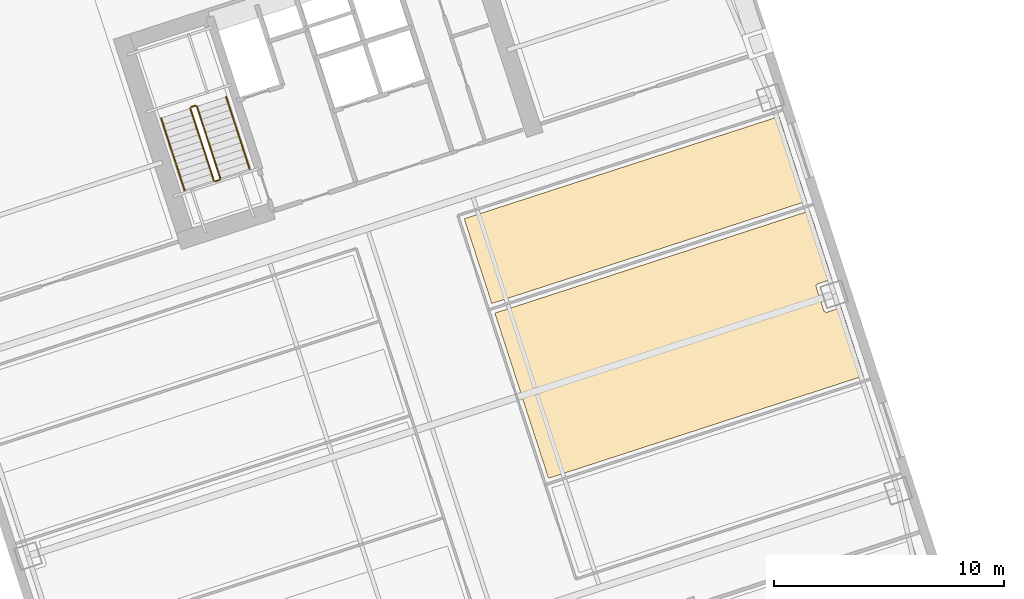
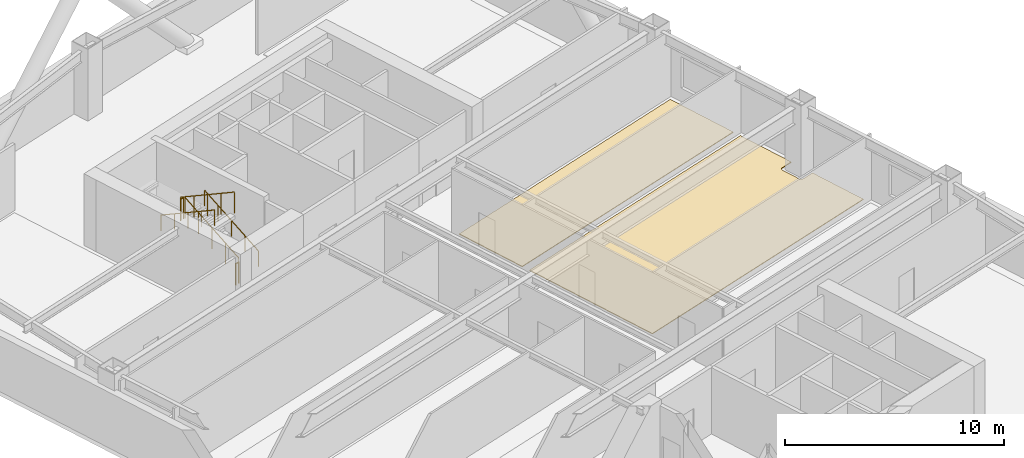
# One storey, part 17 of 18: 6 railings, 2 coverings.
"""IFC4 building model written with IfcOpenShell, lengths in metres."""

import ifcopenshell
import ifcopenshell.guid

model = None  # the IFC model being written
_history = None  # IfcOwnerHistory: only IFC2X3 demands one
_inside = {}  # id of a spatial element -> (the spatial element, [elements in it])
_under = {}  # id of a project, library or spatial element -> (it, [spatial elements below it])
_declared = {}  # id of a project -> (the project, [libraries it declares])
_typed = {}  # id of a type object -> (the type object, [elements of that type])
_made_of = {}  # id of a material, layer set ... -> (it, [elements and type objects made of it])


def new_model(schema):
    """Start an empty IFC model of exactly this schema.

    Asked for "IFC4X3", IfcOpenShell would pick the latest addendum, in which some entities
    have other attributes; the version numbers below select the first issue.
    IFC2X3 requires an IfcOwnerHistory on every rooted entity: one is made here for all.
    """
    global model, _history
    if schema == "IFC4X3":
        model = ifcopenshell.file(schema_version=(4, 3, 0, 0))
    else:
        model = ifcopenshell.file(schema=schema)
    _inside.clear()
    _under.clear()
    _declared.clear()
    _typed.clear()
    _made_of.clear()
    _history = None
    if model.schema == "IFC2X3":
        org = make("IfcOrganization", Name="unknown")
        user = make(
            "IfcPersonAndOrganization",
            ThePerson=make("IfcPerson", FamilyName="unknown"),
            TheOrganization=org,
        )
        app = make(
            "IfcApplication",
            ApplicationDeveloper=org,
            Version="unknown",
            ApplicationFullName="unknown",
            ApplicationIdentifier="unknown",
        )
        _history = make(
            "IfcOwnerHistory",
            OwningUser=user,
            OwningApplication=app,
            ChangeAction="ADDED",
            CreationDate=0,
        )
    return model


def make(cls, **values):
    """One entity of the class cls with the attributes given. An attribute that is None is left unset."""
    return model.create_entity(
        cls, **{name: value for name, value in values.items() if value is not None}
    )


def rooted(cls, **values):
    """An entity with a GlobalId (a new one), such as an element, a storey or a relation."""
    return make(cls, GlobalId=ifcopenshell.guid.new(), OwnerHistory=_history, **values)


def si_unit(unit_type, name, prefix=None):
    """IfcSIUnit, for example si_unit("LENGTHUNIT", "METRE", prefix="MILLI")."""
    return make("IfcSIUnit", UnitType=unit_type, Prefix=prefix, Name=name)


def assignment(units):
    """IfcUnitAssignment: the units of a project."""
    return None if units is None else make("IfcUnitAssignment", Units=units)


def point(xyz):
    """IfcCartesianPoint."""
    return None if xyz is None else make("IfcCartesianPoint", Coordinates=xyz)


def direction(xyz):
    """IfcDirection."""
    return None if xyz is None else make("IfcDirection", DirectionRatios=xyz)


def frame(location, z_axis=None, x_axis=None):
    """IfcAxis2Placement3D, a coordinate frame: its origin and axes. An axis left out is left unset."""
    return make(
        "IfcAxis2Placement3D",
        Location=point(location),
        Axis=direction(z_axis),
        RefDirection=direction(x_axis),
    )


def frame_2d(location, x_axis=None):
    """IfcAxis2Placement2D, a coordinate frame in the plane: its origin and x axis."""
    return make(
        "IfcAxis2Placement2D", Location=point(location), RefDirection=direction(x_axis)
    )


def origin():
    """The frame at (0, 0, 0) with its axes left unset."""
    return frame((0.0, 0.0, 0.0))


def origin_2d():
    """The frame at (0, 0) in the plane with its x axis left unset."""
    return frame_2d((0.0, 0.0))


def place(relative_to, where):
    """IfcLocalPlacement: puts the frame where relative to a parent placement (None: the world)."""
    return make(
        "IfcLocalPlacement", PlacementRelTo=relative_to, RelativePlacement=where
    )


def context(
    kind, dimensions, precision=None, world=None, true_north=None, identifier=None
):
    """IfcGeometricRepresentationContext, for example the 3D "Model" context."""
    return make(
        "IfcGeometricRepresentationContext",
        ContextIdentifier=identifier,
        ContextType=kind,
        CoordinateSpaceDimension=dimensions,
        Precision=precision,
        WorldCoordinateSystem=world,
        TrueNorth=true_north,
    )


def subcontext(parent, identifier, kind, view, scale=None):
    """IfcGeometricRepresentationSubContext, for example "Body" below "Model"."""
    return make(
        "IfcGeometricRepresentationSubContext",
        ContextIdentifier=identifier,
        ContextType=kind,
        ParentContext=parent,
        TargetScale=scale,
        TargetView=view,
    )


def project(units=None, contexts=None):
    """IfcProject with its units and contexts."""
    return rooted(
        "IfcProject",
        Name="project",
        RepresentationContexts=contexts,
        UnitsInContext=assignment(units),
    )


def spatial(cls, under=None, at=None, **own):
    """A site, building, storey or space (cls), placed at a placement, below another one or the project."""
    s = rooted(cls, ObjectPlacement=at, **own)
    if under is not None:
        _under.setdefault(under.id(), (under, []))[1].append(s)
    return s


def polyline(points):
    """IfcPolyline through the points."""
    return make("IfcPolyline", Points=[point(p) for p in points])


def profile(cls, at=None, kind="AREA", **sizes):
    """A parametric profile (cls). Its sizes go by their IFC names, for example OverallWidth=200.0."""
    return make(cls, ProfileType=kind, Position=at, **sizes)


def circle(**sizes):
    """IfcCircleProfileDef."""
    return profile("IfcCircleProfileDef", **sizes)


def outline(outer, holes=None, kind="AREA"):
    """IfcArbitraryClosedProfileDef: a profile drawn as a closed curve; with holes, ...WithVoids."""
    if holes is None:
        return make("IfcArbitraryClosedProfileDef", ProfileType=kind, OuterCurve=outer)
    return make(
        "IfcArbitraryProfileDefWithVoids",
        ProfileType=kind,
        OuterCurve=outer,
        InnerCurves=holes,
    )


def extrude(swept, where, along, depth):
    """IfcExtrudedAreaSolid: the profile swept, set in the frame where, extruded along a direction by depth."""
    return make(
        "IfcExtrudedAreaSolid",
        SweptArea=swept,
        Position=where,
        ExtrudedDirection=direction(along),
        Depth=depth,
    )


def shape(context_of_items, identifier, shape_type, items):
    """IfcShapeRepresentation: the items that make up one representation, for example the "Body"."""
    return make(
        "IfcShapeRepresentation",
        ContextOfItems=context_of_items,
        RepresentationIdentifier=identifier,
        RepresentationType=shape_type,
        Items=items,
    )


def material(Name=None, Category=None):
    """IfcMaterial."""
    return make("IfcMaterial", Name=Name, Category=Category)


def layer(
    of_material, thickness, ventilated=None, Name=None, Category=None, Priority=None
):
    """IfcMaterialLayer: one layer of a wall or slab, of a material (None: an air gap)."""
    return make(
        "IfcMaterialLayer",
        Material=of_material,
        LayerThickness=thickness,
        IsVentilated=ventilated,
        Name=Name,
        Category=Category,
        Priority=Priority,
    )


def layer_set(layers, Name=None):
    """IfcMaterialLayerSet."""
    return make("IfcMaterialLayerSet", MaterialLayers=layers, LayerSetName=Name)


def made_of(thing, what):
    """Note that an element or type object is made of a material, layer set ...; save() writes the relation."""
    if what is not None:
        _made_of.setdefault(what.id(), (what, []))[1].append(thing)
    return thing


def type_object(cls, material=None, **own):
    """A type object (cls), such as IfcWallType, which elements share."""
    return made_of(rooted(cls, **own), material)


def element(
    cls,
    number,
    at=None,
    inside=None,
    cuts=None,
    type_object=None,
    material=None,
    context=None,
    identifier="Body",
    shape_type=None,
    held_by="IfcProductDefinitionShape",
    body=None,
    shapes=None,
    **own,
):
    """One element of the class cls, such as IfcWall. Its Tag is "e" and its number.

    at: its placement. inside: the storey or other place that contains it. cuts: it is an
    opening in that element (IfcRelVoidsElement). A single representation is given by context,
    identifier, shape_type and body (its items); several are given by shapes. held_by: the class
    of the entity that holds the representations. save() writes the other relations.
    """
    e = rooted(cls, Tag="e%d" % number, ObjectPlacement=at, **own)
    if body is not None:
        shapes = [shape(context, identifier, shape_type, body)]
    if shapes is not None:
        e.Representation = make(held_by, Representations=shapes)
    if inside is not None:
        _inside.setdefault(inside.id(), (inside, []))[1].append(e)
    if cuts is not None:
        rooted(
            "IfcRelVoidsElement", RelatingBuildingElement=cuts, RelatedOpeningElement=e
        )
    if type_object is not None:
        _typed.setdefault(type_object.id(), (type_object, []))[1].append(e)
    return made_of(e, material)


def aggregate(whole, parts):
    """IfcRelAggregates: a whole, such as a stair, and the parts it consists of."""
    return rooted("IfcRelAggregates", RelatingObject=whole, RelatedObjects=parts)


def save(model, path):
    """Write the relations noted so far, then the file.

    IfcRelAggregates (storeys below a building ...), IfcRelContainedInSpatialStructure (elements
    in a storey), IfcRelDefinesByType, IfcRelAssociatesMaterial and IfcRelDeclares: one each for
    every whole, place, type object, material and project.
    """
    for whole, parts in _under.values():
        aggregate(whole, parts)
    for where, things in _inside.values():
        rooted(
            "IfcRelContainedInSpatialStructure",
            RelatedElements=things,
            RelatingStructure=where,
        )
    for kind, things in _typed.values():
        rooted("IfcRelDefinesByType", RelatedObjects=things, RelatingType=kind)
    for what, things in _made_of.values():
        rooted("IfcRelAssociatesMaterial", RelatedObjects=things, RelatingMaterial=what)
    for by, libraries in _declared.values():
        rooted("IfcRelDeclares", RelatingContext=by, RelatedDefinitions=libraries)
    model.write(path)


model = new_model("IFC4")

# Units and contexts
model_context = context("Model", 3, precision=1e-05, world=origin(), true_north=direction((0.0, 1.0)))
body_context = subcontext(model_context, "Body", "Model", "MODEL_VIEW")
ifc_project = project(units=[si_unit("LENGTHUNIT", "METRE"), si_unit("AREAUNIT", "SQUARE_METRE"), si_unit("VOLUMEUNIT", "CUBIC_METRE"), si_unit("PLANEANGLEUNIT", "RADIAN"), si_unit("MASSUNIT", "GRAM", prefix="KILO")], contexts=[model_context])

# Site, building, storey
site_placement = place(None, origin())
site = spatial("IfcSite", under=ifc_project, at=site_placement, CompositionType="ELEMENT")
building_placement = place(site_placement, origin())
building = spatial("IfcBuilding", under=site, at=building_placement, Name="Qiaolan Cultural Towers", CompositionType="ELEMENT")
storey_placement = place(building_placement, frame((0.0, 0.0, 42.0)))
storey = spatial("IfcBuildingStorey", under=building, at=storey_placement, Name="L09", CompositionType="ELEMENT", Elevation=42.0)

# Coverings
ifc_material_1 = material(Name="Honed Terrazzo & Raised Access Flooring", Category="concrete")
ifc_layer = layer(ifc_material_1, 0.0400390625)
ifc_layer_set = layer_set([ifc_layer], Name="Honed Terrazzo & Raised Access Flooring")
covering_type = type_object("IfcCoveringType", Name="COV-FLR-STONE", PredefinedType="FLOORING", material=ifc_layer_set)
covering_1_placement = place(storey_placement, origin())
element("IfcCovering", 1, at=covering_1_placement, inside=storey, type_object=covering_type, Name="L09 Design Archive Studio Finish Flooring", PredefinedType="FLOORING", context=body_context, shape_type="SweptSolid", body=[
    extrude(outline(polyline([(107.8525390625, 39.1171875), (107.243896484375, 38.91943359375), (107.232421875, 38.916259765625), (107.220703125, 38.914306640625), (107.208984375, 38.91357421875), (107.197265625, 38.913818359375), (107.185546875, 38.915283203125), (107.174072265625, 38.91796875), (107.1630859375, 38.921875), (107.15234375, 38.926513671875), (107.14208984375, 38.932373046875), (107.13232421875, 38.939208984375), (107.12353515625, 38.947021484375), (107.115478515625, 38.95556640625), (107.108154296875, 38.96484375), (107.10205078125, 38.974853515625), (107.0966796875, 38.9853515625), (107.092529296875, 38.996337890625), (106.76513671875, 40.004638671875), (106.761962890625, 40.015869140625), (106.760009765625, 40.027587890625), (106.75927734375, 40.039306640625), (106.759521484375, 40.051025390625), (106.760986328125, 40.062744140625), (106.763671875, 40.07421875), (106.767333984375, 40.08544921875), (106.772216796875, 40.09619140625), (106.778076171875, 40.1064453125), (106.784912109375, 40.115966796875), (106.792724609375, 40.124755859375), (106.80126953125, 40.1328125), (106.810546875, 40.14013671875), (106.820556640625, 40.146240234375), (106.8310546875, 40.151611328125), (106.842041015625, 40.15576171875), (107.45068359375, 40.353515625), (106.483642578125, 43.330322265625), (92.77392578125, 38.8759765625), (95.110107421875, 31.685791015625), (108.819580078125, 36.140380859375), (107.8525390625, 39.1171875)])), origin(), (0.0, 0.0, 1.0), 0.0400390625),
])
covering_2_placement = place(storey_placement, origin())
element("IfcCovering", 2, at=covering_2_placement, inside=storey, type_object=covering_type, Name="L09 Staff Dining Kitchen Finish Flooring", PredefinedType="FLOORING", context=body_context, shape_type="SweptSolid", body=[
    extrude(outline(polyline([(106.34765625, 43.748779296875), (105.148681640625, 47.43896484375), (91.439208984375, 42.984375), (92.63818359375, 39.29443359375), (106.34765625, 43.748779296875)])), origin(), (0.0, 0.0, 1.0), 0.0400390625),
])

# Railings
ifc_material_2 = material(Name="Galvanized Painted Steel Stair Guardrail", Category="steel")
railing_type_1 = type_object("IfcRailingType", Name="RL-STAIR-GRD", PredefinedType="GUARDRAIL", material=ifc_material_2)
railing_1_placement = place(storey_placement, frame((80.822021484375, 44.739501953125, 0.166748046875)))
element("IfcRailing", 3, at=railing_1_placement, inside=storey, type_object=railing_type_1, Name="L09 ST-E2 stair guard 1", PredefinedType="GUARDRAIL", context=body_context, shape_type="SweptSolid", body=[
    extrude(circle(Radius=0.02392578125, at=origin_2d()), frame((0.0, 0.0, 1.17578125), z_axis=(-0.270140520196, 0.831375721119, 0.485632072336), x_axis=(-0.951053095941, -0.309027520945, 0.0)), (0.0, 0.0, 1.0), 3.77490234375),
    extrude(circle(Radius=0.02099609375, at=origin_2d()), origin(), (0.0, 0.0, 1.0), 1.15185546875),
    extrude(circle(Radius=0.02099609375, at=origin_2d()), frame((-0.2548828125, 0.78466796875, 0.458251953125)), (0.0, 0.0, 1.0), 1.15185546875),
    extrude(circle(Radius=0.02099609375, at=origin_2d()), frame((-0.509765625, 1.5693359375, 0.91650390625)), (0.0, 0.0, 1.0), 1.15185546875),
    extrude(circle(Radius=0.02099609375, at=origin_2d()), frame((-0.764892578125, 2.353759765625, 1.375)), (0.0, 0.0, 1.0), 1.15185546875),
    extrude(circle(Radius=0.02099609375, at=origin_2d()), frame((-1.019775390625, 3.138427734375, 1.833251953125)), (0.0, 0.0, 1.0), 1.15185546875),
])
railing_2_placement = place(storey_placement, frame((79.7392578125, 47.91015625, 2.0)))
element("IfcRailing", 4, at=railing_2_placement, inside=storey, type_object=railing_type_1, Name="L09 ST-E2 stair guard 2", PredefinedType="GUARDRAIL", context=body_context, shape_type="SweptSolid", body=[
    extrude(circle(Radius=0.02392578125, at=origin_2d()), frame((0.0, 0.0, 1.17578125), z_axis=(-0.951096855055, -0.308892816854, 0.0), x_axis=(0.308892816854, -0.951096855055, 0.0)), (0.0, 0.0, 1.0), 0.199951171875),
    extrude(circle(Radius=0.02099609375, at=origin_2d()), origin(), (0.0, 0.0, 1.0), 1.15185546875),
    extrude(circle(Radius=0.02099609375, at=origin_2d()), frame((-0.190185546875, -0.061767578125, 0.0)), (0.0, 0.0, 1.0), 1.15185546875),
])
railing_3_placement = place(storey_placement, frame((79.51708984375, 47.785400390625, 2.166748046875)))
element("IfcRailing", 5, at=railing_3_placement, inside=storey, type_object=railing_type_1, Name="L09 ST-E2 stair guard 3", PredefinedType="GUARDRAIL", context=body_context, shape_type="SweptSolid", body=[
    extrude(circle(Radius=0.02392578125, at=origin_2d()), frame((0.0, 0.0, 1.17578125), z_axis=(0.27012599593, -0.831395691566, 0.485605962039), x_axis=(0.951060160437, 0.309005778636, 0.0)), (0.0, 0.0, 1.0), 3.775146484375),
    extrude(circle(Radius=0.02099609375, at=origin_2d()), origin(), (0.0, 0.0, 1.0), 1.15185546875),
    extrude(circle(Radius=0.02099609375, at=origin_2d()), frame((0.2548828125, -0.78466796875, 0.458251953125)), (0.0, 0.0, 1.0), 1.15185546875),
    extrude(circle(Radius=0.02099609375, at=origin_2d()), frame((0.509765625, -1.5693359375, 0.91650390625)), (0.0, 0.0, 1.0), 1.15185546875),
    extrude(circle(Radius=0.02099609375, at=origin_2d()), frame((0.764892578125, -2.35400390625, 1.375)), (0.0, 0.0, 1.0), 1.15185546875),
    extrude(circle(Radius=0.02099609375, at=origin_2d()), frame((1.019775390625, -3.138671875, 1.833251953125)), (0.0, 0.0, 1.0), 1.15185546875),
])
railing_4_placement = place(storey_placement, frame((80.7900390625, 44.676513671875, 0.0)))
element("IfcRailing", 6, at=railing_4_placement, inside=storey, type_object=railing_type_1, Name="L09 ST-E2 stair guard 4", PredefinedType="GUARDRAIL", context=body_context, shape_type="SweptSolid", body=[
    extrude(circle(Radius=0.02392578125, at=origin_2d()), frame((0.0, 0.0, 1.17578125), z_axis=(-0.951096855055, -0.308892816854, 0.0), x_axis=(0.308892816854, -0.951096855055, 0.0)), (0.0, 0.0, 1.0), 0.199951171875),
    extrude(circle(Radius=0.02099609375, at=origin_2d()), origin(), (0.0, 0.0, 1.0), 1.15185546875),
    extrude(circle(Radius=0.02099609375, at=origin_2d()), frame((-0.190185546875, -0.061767578125, 0.0)), (0.0, 0.0, 1.0), 1.15185546875),
])
ifc_material_3 = material(Name="Stainless Steel S30408 Tubular Handrail", Category="steel")
railing_type_2 = type_object("IfcRailingType", Name="RL-STAIR-HR", PredefinedType="HANDRAIL", material=ifc_material_3)
railing_5_placement = place(storey_placement, frame((82.096435546875, 45.153564453125, 0.166748046875)))
element("IfcRailing", 7, at=railing_5_placement, inside=storey, type_object=railing_type_2, Name="L09 ST-E2 stair handrail 1", PredefinedType="HANDRAIL", context=body_context, shape_type="SweptSolid", body=[
    extrude(circle(Radius=0.02392578125, at=origin_2d()), frame((0.0, 0.0, 0.8759765625), z_axis=(-0.270140520196, 0.831375721119, 0.485632072336), x_axis=(-0.951053095941, -0.309027520945, 0.0)), (0.0, 0.0, 1.0), 3.77490234375),
    extrude(circle(Radius=0.02099609375, at=origin_2d()), origin(), (0.0, 0.0, 1.0), 0.851806640625),
    extrude(circle(Radius=0.02099609375, at=origin_2d()), frame((-0.2548828125, 0.78466796875, 0.458251953125)), (0.0, 0.0, 1.0), 0.851806640625),
    extrude(circle(Radius=0.02099609375, at=origin_2d()), frame((-0.509765625, 1.5693359375, 0.91650390625)), (0.0, 0.0, 1.0), 0.851806640625),
    extrude(circle(Radius=0.02099609375, at=origin_2d()), frame((-0.764892578125, 2.353759765625, 1.375)), (0.0, 0.0, 1.0), 0.851806640625),
    extrude(circle(Radius=0.02099609375, at=origin_2d()), frame((-1.019775390625, 3.138427734375, 1.833251953125)), (0.0, 0.0, 1.0), 0.851806640625),
])
railing_6_placement = place(storey_placement, frame((78.24267578125, 47.37109375, 2.166748046875)))
element("IfcRailing", 8, at=railing_6_placement, inside=storey, type_object=railing_type_2, Name="L09 ST-E2 stair handrail 2", PredefinedType="HANDRAIL", context=body_context, shape_type="SweptSolid", body=[
    extrude(circle(Radius=0.02392578125, at=origin_2d()), frame((0.0, 0.0, 0.8759765625), z_axis=(0.270140520196, -0.831375721119, 0.485632072336), x_axis=(0.951053095941, 0.309027520945, 0.0)), (0.0, 0.0, 1.0), 3.77490234375),
    extrude(circle(Radius=0.02099609375, at=origin_2d()), origin(), (0.0, 0.0, 1.0), 0.851806640625),
    extrude(circle(Radius=0.02099609375, at=origin_2d()), frame((0.2548828125, -0.78466796875, 0.458251953125)), (0.0, 0.0, 1.0), 0.851806640625),
    extrude(circle(Radius=0.02099609375, at=origin_2d()), frame((0.509765625, -1.5693359375, 0.91650390625)), (0.0, 0.0, 1.0), 0.851806640625),
    extrude(circle(Radius=0.02099609375, at=origin_2d()), frame((0.764892578125, -2.353759765625, 1.375)), (0.0, 0.0, 1.0), 0.851806640625),
    extrude(circle(Radius=0.02099609375, at=origin_2d()), frame((1.019775390625, -3.138427734375, 1.833251953125)), (0.0, 0.0, 1.0), 0.851806640625),
])

save(model, "model.ifc")
